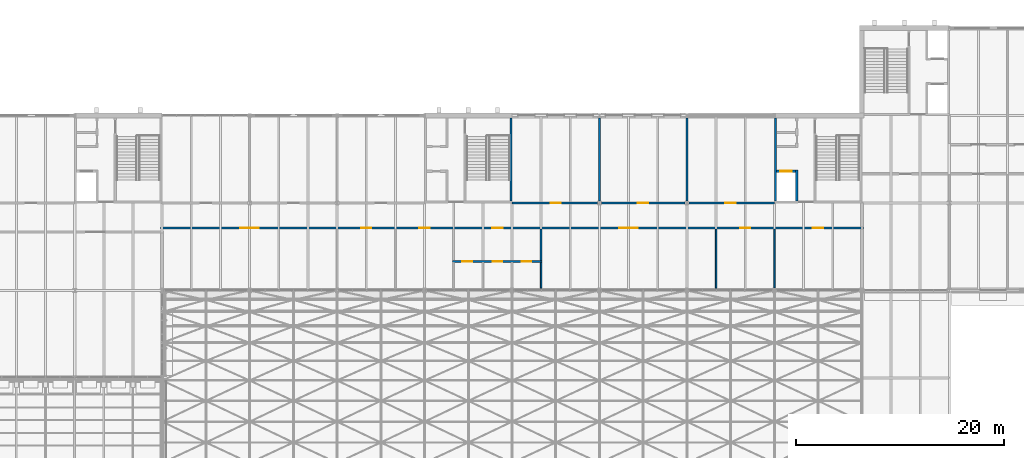
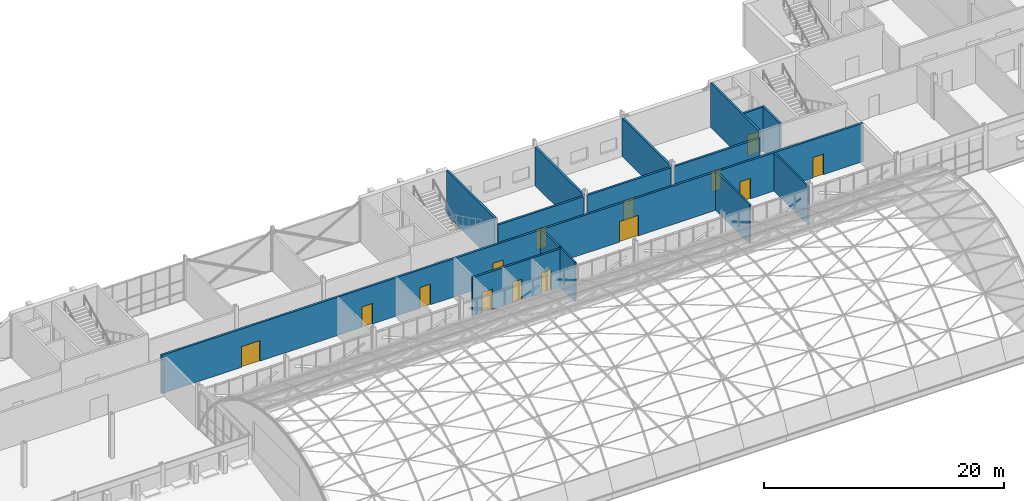
# One storey, part 86 of 121: 15 walls, 14 doors, 14 openings.
"""IFC4 building model written with IfcOpenShell, lengths in metres."""

import ifcopenshell
import ifcopenshell.guid

model = None  # the IFC model being written
_history = None  # IfcOwnerHistory: only IFC2X3 demands one
_inside = {}  # id of a spatial element -> (the spatial element, [elements in it])
_under = {}  # id of a project, library or spatial element -> (it, [spatial elements below it])
_declared = {}  # id of a project -> (the project, [libraries it declares])
_typed = {}  # id of a type object -> (the type object, [elements of that type])
_made_of = {}  # id of a material, layer set ... -> (it, [elements and type objects made of it])


def new_model(schema):
    """Start an empty IFC model of exactly this schema.

    Asked for "IFC4X3", IfcOpenShell would pick the latest addendum, in which some entities
    have other attributes; the version numbers below select the first issue.
    IFC2X3 requires an IfcOwnerHistory on every rooted entity: one is made here for all.
    """
    global model, _history
    if schema == "IFC4X3":
        model = ifcopenshell.file(schema_version=(4, 3, 0, 0))
    else:
        model = ifcopenshell.file(schema=schema)
    _inside.clear()
    _under.clear()
    _declared.clear()
    _typed.clear()
    _made_of.clear()
    _history = None
    if model.schema == "IFC2X3":
        org = make("IfcOrganization", Name="unknown")
        user = make(
            "IfcPersonAndOrganization",
            ThePerson=make("IfcPerson", FamilyName="unknown"),
            TheOrganization=org,
        )
        app = make(
            "IfcApplication",
            ApplicationDeveloper=org,
            Version="unknown",
            ApplicationFullName="unknown",
            ApplicationIdentifier="unknown",
        )
        _history = make(
            "IfcOwnerHistory",
            OwningUser=user,
            OwningApplication=app,
            ChangeAction="ADDED",
            CreationDate=0,
        )
    return model


def make(cls, **values):
    """One entity of the class cls with the attributes given. An attribute that is None is left unset."""
    return model.create_entity(
        cls, **{name: value for name, value in values.items() if value is not None}
    )


def rooted(cls, **values):
    """An entity with a GlobalId (a new one), such as an element, a storey or a relation."""
    return make(cls, GlobalId=ifcopenshell.guid.new(), OwnerHistory=_history, **values)


def si_unit(unit_type, name, prefix=None):
    """IfcSIUnit, for example si_unit("LENGTHUNIT", "METRE", prefix="MILLI")."""
    return make("IfcSIUnit", UnitType=unit_type, Prefix=prefix, Name=name)


def assignment(units):
    """IfcUnitAssignment: the units of a project."""
    return None if units is None else make("IfcUnitAssignment", Units=units)


def point(xyz):
    """IfcCartesianPoint."""
    return None if xyz is None else make("IfcCartesianPoint", Coordinates=xyz)


def direction(xyz):
    """IfcDirection."""
    return None if xyz is None else make("IfcDirection", DirectionRatios=xyz)


def frame(location, z_axis=None, x_axis=None):
    """IfcAxis2Placement3D, a coordinate frame: its origin and axes. An axis left out is left unset."""
    return make(
        "IfcAxis2Placement3D",
        Location=point(location),
        Axis=direction(z_axis),
        RefDirection=direction(x_axis),
    )


def frame_2d(location, x_axis=None):
    """IfcAxis2Placement2D, a coordinate frame in the plane: its origin and x axis."""
    return make(
        "IfcAxis2Placement2D", Location=point(location), RefDirection=direction(x_axis)
    )


def origin():
    """The frame at (0, 0, 0) with its axes left unset."""
    return frame((0.0, 0.0, 0.0))


def place(relative_to, where):
    """IfcLocalPlacement: puts the frame where relative to a parent placement (None: the world)."""
    return make(
        "IfcLocalPlacement", PlacementRelTo=relative_to, RelativePlacement=where
    )


def context(
    kind, dimensions, precision=None, world=None, true_north=None, identifier=None
):
    """IfcGeometricRepresentationContext, for example the 3D "Model" context."""
    return make(
        "IfcGeometricRepresentationContext",
        ContextIdentifier=identifier,
        ContextType=kind,
        CoordinateSpaceDimension=dimensions,
        Precision=precision,
        WorldCoordinateSystem=world,
        TrueNorth=true_north,
    )


def subcontext(parent, identifier, kind, view, scale=None):
    """IfcGeometricRepresentationSubContext, for example "Body" below "Model"."""
    return make(
        "IfcGeometricRepresentationSubContext",
        ContextIdentifier=identifier,
        ContextType=kind,
        ParentContext=parent,
        TargetScale=scale,
        TargetView=view,
    )


def project(units=None, contexts=None):
    """IfcProject with its units and contexts."""
    return rooted(
        "IfcProject",
        Name="project",
        RepresentationContexts=contexts,
        UnitsInContext=assignment(units),
    )


def spatial(cls, under=None, at=None, **own):
    """A site, building, storey or space (cls), placed at a placement, below another one or the project."""
    s = rooted(cls, ObjectPlacement=at, **own)
    if under is not None:
        _under.setdefault(under.id(), (under, []))[1].append(s)
    return s


def profile(cls, at=None, kind="AREA", **sizes):
    """A parametric profile (cls). Its sizes go by their IFC names, for example OverallWidth=200.0."""
    return make(cls, ProfileType=kind, Position=at, **sizes)


def rectangle(**sizes):
    """IfcRectangleProfileDef."""
    return profile("IfcRectangleProfileDef", **sizes)


def extrude(swept, where, along, depth):
    """IfcExtrudedAreaSolid: the profile swept, set in the frame where, extruded along a direction by depth."""
    return make(
        "IfcExtrudedAreaSolid",
        SweptArea=swept,
        Position=where,
        ExtrudedDirection=direction(along),
        Depth=depth,
    )


def shape(context_of_items, identifier, shape_type, items):
    """IfcShapeRepresentation: the items that make up one representation, for example the "Body"."""
    return make(
        "IfcShapeRepresentation",
        ContextOfItems=context_of_items,
        RepresentationIdentifier=identifier,
        RepresentationType=shape_type,
        Items=items,
    )


def material(Name=None, Category=None):
    """IfcMaterial."""
    return make("IfcMaterial", Name=Name, Category=Category)


def layer(
    of_material, thickness, ventilated=None, Name=None, Category=None, Priority=None
):
    """IfcMaterialLayer: one layer of a wall or slab, of a material (None: an air gap)."""
    return make(
        "IfcMaterialLayer",
        Material=of_material,
        LayerThickness=thickness,
        IsVentilated=ventilated,
        Name=Name,
        Category=Category,
        Priority=Priority,
    )


def layer_set(layers, Name=None):
    """IfcMaterialLayerSet."""
    return make("IfcMaterialLayerSet", MaterialLayers=layers, LayerSetName=Name)


def made_of(thing, what):
    """Note that an element or type object is made of a material, layer set ...; save() writes the relation."""
    if what is not None:
        _made_of.setdefault(what.id(), (what, []))[1].append(thing)
    return thing


def type_object(cls, material=None, **own):
    """A type object (cls), such as IfcWallType, which elements share."""
    return made_of(rooted(cls, **own), material)


def element(
    cls,
    number,
    at=None,
    inside=None,
    cuts=None,
    type_object=None,
    material=None,
    context=None,
    identifier="Body",
    shape_type=None,
    held_by="IfcProductDefinitionShape",
    body=None,
    shapes=None,
    **own,
):
    """One element of the class cls, such as IfcWall. Its Tag is "e" and its number.

    at: its placement. inside: the storey or other place that contains it. cuts: it is an
    opening in that element (IfcRelVoidsElement). A single representation is given by context,
    identifier, shape_type and body (its items); several are given by shapes. held_by: the class
    of the entity that holds the representations. save() writes the other relations.
    """
    e = rooted(cls, Tag="e%d" % number, ObjectPlacement=at, **own)
    if body is not None:
        shapes = [shape(context, identifier, shape_type, body)]
    if shapes is not None:
        e.Representation = make(held_by, Representations=shapes)
    if inside is not None:
        _inside.setdefault(inside.id(), (inside, []))[1].append(e)
    if cuts is not None:
        rooted(
            "IfcRelVoidsElement", RelatingBuildingElement=cuts, RelatedOpeningElement=e
        )
    if type_object is not None:
        _typed.setdefault(type_object.id(), (type_object, []))[1].append(e)
    return made_of(e, material)


def fill(opening, filler):
    """IfcRelFillsElement: the door or window that sits in an opening."""
    return rooted(
        "IfcRelFillsElement",
        RelatingOpeningElement=opening,
        RelatedBuildingElement=filler,
    )


def aggregate(whole, parts):
    """IfcRelAggregates: a whole, such as a stair, and the parts it consists of."""
    return rooted("IfcRelAggregates", RelatingObject=whole, RelatedObjects=parts)


def save(model, path):
    """Write the relations noted so far, then the file.

    IfcRelAggregates (storeys below a building ...), IfcRelContainedInSpatialStructure (elements
    in a storey), IfcRelDefinesByType, IfcRelAssociatesMaterial and IfcRelDeclares: one each for
    every whole, place, type object, material and project.
    """
    for whole, parts in _under.values():
        aggregate(whole, parts)
    for where, things in _inside.values():
        rooted(
            "IfcRelContainedInSpatialStructure",
            RelatedElements=things,
            RelatingStructure=where,
        )
    for kind, things in _typed.values():
        rooted("IfcRelDefinesByType", RelatedObjects=things, RelatingType=kind)
    for what, things in _made_of.values():
        rooted("IfcRelAssociatesMaterial", RelatedObjects=things, RelatingMaterial=what)
    for by, libraries in _declared.values():
        rooted("IfcRelDeclares", RelatingContext=by, RelatedDefinitions=libraries)
    model.write(path)


model = new_model("IFC4")

# Units and contexts
model_context = context("Model", 3, precision=1e-05, world=origin(), true_north=direction((0.0, 1.0)))
body_context = subcontext(model_context, "Body", "Model", "MODEL_VIEW")
ifc_project = project(units=[si_unit("LENGTHUNIT", "METRE"), si_unit("AREAUNIT", "SQUARE_METRE"), si_unit("VOLUMEUNIT", "CUBIC_METRE"), si_unit("PLANEANGLEUNIT", "RADIAN"), si_unit("MASSUNIT", "GRAM", prefix="KILO")], contexts=[model_context])

# Site, building, storey
site_placement = place(None, origin())
site = spatial("IfcSite", under=ifc_project, at=site_placement, CompositionType="ELEMENT")
building_placement = place(site_placement, origin())
building = spatial("IfcBuilding", under=site, at=building_placement, Name="Ardhachandra Cancer Care Centre", CompositionType="ELEMENT")
storey_placement = place(building_placement, frame((0.0, 0.0, 9.0)))
storey = spatial("IfcBuildingStorey", under=building, at=storey_placement, Name="L02", CompositionType="ELEMENT", Elevation=9.0)

# Wall, openings, doors
ifc_material_1 = material(Name="Gypsum board corridor partition on steel studs", Category="steel")
ifc_layer_1 = layer(ifc_material_1, 0.199951171875)
ifc_layer_set_1 = layer_set([ifc_layer_1], Name="Gypsum board corridor partition on steel studs")
wall_type_1 = type_object("IfcWallType", Name="CORRIDOR WALL 200", PredefinedType="PARTITIONING", material=ifc_layer_set_1)
wall_1_placement = place(storey_placement, frame((72.300048828125, 82.60009765625, 0.0), z_axis=(0.0, 0.0, 1.0), x_axis=(1.0, 0.0, 0.0)))
wall_1 = element("IfcWall", 1, at=wall_1_placement, inside=storey, type_object=wall_type_1, Name="R/wall/L02/h0082600_0072300", PredefinedType="PARTITIONING", context=body_context, shape_type="SweptSolid", body=[
    extrude(rectangle(XDim=8.599853515625, YDim=0.199951171875, at=frame_2d((4.2998046875, 0.0))), origin(), (0.0, 0.0, 1.0), 3.89990234375),
])
opening_1_placement = place(wall_1_placement, frame((0.89990234375, 0.0, 0.0)))
opening_1 = element("IfcOpeningElement", 2, at=opening_1_placement, cuts=wall_1, Name="Opening L02-0005", PredefinedType="OPENING", context=body_context, shape_type="SweptSolid", body=[
    extrude(rectangle(XDim=1.0, YDim=2.10009765625, at=frame_2d((0.5, 1.050048828125))), frame((0.0, 0.10986328125, 0.0), z_axis=(0.0, -1.0, 0.0), x_axis=(1.0, 0.0, 0.0)), (0.0, 0.0, 1.0), 0.219970703125),
])
opening_2_placement = place(wall_1_placement, frame((3.85009765625, 0.0, 0.0)))
opening_2 = element("IfcOpeningElement", 3, at=opening_2_placement, cuts=wall_1, Name="Opening L02-0006", PredefinedType="OPENING", context=body_context, shape_type="SweptSolid", body=[
    extrude(rectangle(XDim=0.89990234375, YDim=2.10009765625, at=frame_2d((0.449951171875, 1.050048828125))), frame((0.0, 0.10986328125, 0.0), z_axis=(0.0, -1.0, 0.0), x_axis=(1.0, 0.0, 0.0)), (0.0, 0.0, 1.0), 0.219970703125),
])
opening_3_placement = place(wall_1_placement, frame((6.64990234375, 0.0, 0.0)))
opening_3 = element("IfcOpeningElement", 4, at=opening_3_placement, cuts=wall_1, Name="Opening L02-0007", PredefinedType="OPENING", context=body_context, shape_type="SweptSolid", body=[
    extrude(rectangle(XDim=0.89990234375, YDim=2.10009765625, at=frame_2d((0.449951171875, 1.050048828125))), frame((0.0, 0.10986328125, 0.0), z_axis=(0.0, -1.0, 0.0), x_axis=(1.0, 0.0, 0.0)), (0.0, 0.0, 1.0), 0.219970703125),
])
ifc_material_2 = material(Name="Timber fire door with smoke seals", Category="wood")
door_type_1 = type_object("IfcDoorType", Name="FIRE DOOR SINGLE 1000x2100 FD30S", OperationType="NOTDEFINED", PredefinedType="DOOR", material=ifc_material_2)
door_1_placement = place(opening_1_placement, origin())
door_1 = element("IfcDoor", 5, at=door_1_placement, inside=storey, type_object=door_type_1, Name="Door L02-0005", OperationType="SINGLE_SWING_RIGHT", OverallHeight=2.10009765625, OverallWidth=1.0, PredefinedType="DOOR", context=body_context, shape_type="SweptSolid", body=[
    extrude(rectangle(XDim=1.0, YDim=2.10009765625, at=frame_2d((0.5, 1.050048828125))), frame((0.0, 0.02490234375, 0.0), z_axis=(0.0, -1.0, 0.0), x_axis=(1.0, 0.0, 0.0)), (0.0, 0.0, 1.0), 0.050048828125),
])
fill(opening_1, door_1)
ifc_material_3 = material(Name="Timber fire door with smoke seals", Category="wood")
door_type_2 = type_object("IfcDoorType", Name="FIRE DOOR WC 900x2100 FD30S", OperationType="NOTDEFINED", PredefinedType="DOOR", material=ifc_material_3)
door_2_placement = place(opening_2_placement, origin())
door_2 = element("IfcDoor", 6, at=door_2_placement, inside=storey, type_object=door_type_2, Name="Door L02-0006", OperationType="SINGLE_SWING_LEFT", OverallHeight=2.10009765625, OverallWidth=0.89990234375, PredefinedType="DOOR", context=body_context, shape_type="SweptSolid", body=[
    extrude(rectangle(XDim=0.89990234375, YDim=2.10009765625, at=frame_2d((0.449951171875, 1.050048828125))), frame((0.0, 0.02490234375, 0.0), z_axis=(0.0, -1.0, 0.0), x_axis=(1.0, 0.0, 0.0)), (0.0, 0.0, 1.0), 0.050048828125),
])
fill(opening_2, door_2)
door_3_placement = place(opening_3_placement, origin())
door_3 = element("IfcDoor", 7, at=door_3_placement, inside=storey, type_object=door_type_2, Name="Door L02-0007", OperationType="SINGLE_SWING_LEFT", OverallHeight=2.10009765625, OverallWidth=0.89990234375, PredefinedType="DOOR", context=body_context, shape_type="SweptSolid", body=[
    extrude(rectangle(XDim=0.89990234375, YDim=2.10009765625, at=frame_2d((0.449951171875, 1.050048828125))), frame((0.0, 0.02490234375, 0.0), z_axis=(0.0, -1.0, 0.0), x_axis=(1.0, 0.0, 0.0)), (0.0, 0.0, 1.0), 0.050048828125),
])
fill(opening_3, door_3)

wall_2_placement = place(storey_placement, frame((44.25, 85.800048828125, 0.0), z_axis=(0.0, 0.0, 1.0), x_axis=(1.0, 0.0, 0.0)))
wall_2 = element("IfcWall", 8, at=wall_2_placement, inside=storey, type_object=wall_type_1, Name="R/wall/L02/h0085800_0044250", PredefinedType="PARTITIONING", context=body_context, shape_type="SweptSolid", body=[
    extrude(rectangle(XDim=67.5, YDim=0.199951171875, at=frame_2d((33.75, 0.0))), origin(), (0.0, 0.0, 1.0), 3.89990234375),
])
opening_4_placement = place(wall_2_placement, frame((7.64990234375, 0.0, 0.0)))
opening_4 = element("IfcOpeningElement", 9, at=opening_4_placement, cuts=wall_2, Name="Opening L02-0010", PredefinedType="OPENING", context=body_context, shape_type="SweptSolid", body=[
    extrude(rectangle(XDim=1.800048828125, YDim=2.10009765625, at=frame_2d((0.89990234375, 1.050048828125))), frame((0.0, 0.10986328125, 0.0), z_axis=(0.0, -1.0, 0.0), x_axis=(1.0, 0.0, 0.0)), (0.0, 0.0, 1.0), 0.219970703125),
])
opening_5_placement = place(wall_2_placement, frame((19.25, 0.0, 0.0)))
opening_5 = element("IfcOpeningElement", 10, at=opening_5_placement, cuts=wall_2, Name="Opening L02-0011", PredefinedType="OPENING", context=body_context, shape_type="SweptSolid", body=[
    extrude(rectangle(XDim=1.0, YDim=2.10009765625, at=frame_2d((0.5, 1.050048828125))), frame((0.0, 0.10986328125, 0.0), z_axis=(0.0, -1.0, 0.0), x_axis=(1.0, 0.0, 0.0)), (0.0, 0.0, 1.0), 0.219970703125),
])
opening_6_placement = place(wall_2_placement, frame((24.85009765625, 0.0, 0.0)))
opening_6 = element("IfcOpeningElement", 11, at=opening_6_placement, cuts=wall_2, Name="Opening L02-0012", PredefinedType="OPENING", context=body_context, shape_type="SweptSolid", body=[
    extrude(rectangle(XDim=1.0, YDim=2.10009765625, at=frame_2d((0.5, 1.050048828125))), frame((0.0, 0.10986328125, 0.0), z_axis=(0.0, -1.0, 0.0), x_axis=(1.0, 0.0, 0.0)), (0.0, 0.0, 1.0), 0.219970703125),
])
opening_7_placement = place(wall_2_placement, frame((31.85009765625, 0.0, 0.0)))
opening_7 = element("IfcOpeningElement", 12, at=opening_7_placement, cuts=wall_2, Name="Opening L02-0013", PredefinedType="OPENING", context=body_context, shape_type="SweptSolid", body=[
    extrude(rectangle(XDim=1.0, YDim=2.10009765625, at=frame_2d((0.5, 1.050048828125))), frame((0.0, 0.10986328125, 0.0), z_axis=(0.0, -1.0, 0.0), x_axis=(1.0, 0.0, 0.0)), (0.0, 0.0, 1.0), 0.219970703125),
])
opening_8_placement = place(wall_2_placement, frame((44.050048828125, 0.0, 0.0)))
opening_8 = element("IfcOpeningElement", 13, at=opening_8_placement, cuts=wall_2, Name="Opening L02-0014", PredefinedType="OPENING", context=body_context, shape_type="SweptSolid", body=[
    extrude(rectangle(XDim=1.800048828125, YDim=2.10009765625, at=frame_2d((0.89990234375, 1.050048828125))), frame((0.0, 0.10986328125, 0.0), z_axis=(0.0, -1.0, 0.0), x_axis=(1.0, 0.0, 0.0)), (0.0, 0.0, 1.0), 0.219970703125),
])
opening_9_placement = place(wall_2_placement, frame((55.64990234375, 0.0, 0.0)))
opening_9 = element("IfcOpeningElement", 14, at=opening_9_placement, cuts=wall_2, Name="Opening L02-0015", PredefinedType="OPENING", context=body_context, shape_type="SweptSolid", body=[
    extrude(rectangle(XDim=1.0, YDim=2.10009765625, at=frame_2d((0.5, 1.050048828125))), frame((0.0, 0.10986328125, 0.0), z_axis=(0.0, -1.0, 0.0), x_axis=(1.0, 0.0, 0.0)), (0.0, 0.0, 1.0), 0.219970703125),
])
opening_10_placement = place(wall_2_placement, frame((62.64990234375, 0.0, 0.0)))
opening_10 = element("IfcOpeningElement", 15, at=opening_10_placement, cuts=wall_2, Name="Opening L02-0016", PredefinedType="OPENING", context=body_context, shape_type="SweptSolid", body=[
    extrude(rectangle(XDim=1.0, YDim=2.10009765625, at=frame_2d((0.5, 1.050048828125))), frame((0.0, 0.10986328125, 0.0), z_axis=(0.0, -1.0, 0.0), x_axis=(1.0, 0.0, 0.0)), (0.0, 0.0, 1.0), 0.219970703125),
])
ifc_material_4 = material(Name="Timber fire door with smoke seals", Category="wood")
door_type_3 = type_object("IfcDoorType", Name="FIRE DOOR DOUBLE 1800x2100 FD30S", OperationType="NOTDEFINED", PredefinedType="DOOR", material=ifc_material_4)
door_4_placement = place(opening_4_placement, origin())
door_4 = element("IfcDoor", 16, at=door_4_placement, inside=storey, type_object=door_type_3, Name="Door L02-0010", OperationType="DOUBLE_DOOR_SINGLE_SWING", OverallHeight=2.10009765625, OverallWidth=1.800048828125, PredefinedType="DOOR", context=body_context, shape_type="SweptSolid", body=[
    extrude(rectangle(XDim=1.800048828125, YDim=2.10009765625, at=frame_2d((0.89990234375, 1.050048828125))), frame((0.0, 0.02490234375, 0.0), z_axis=(0.0, -1.0, 0.0), x_axis=(1.0, 0.0, 0.0)), (0.0, 0.0, 1.0), 0.050048828125),
])
fill(opening_4, door_4)
door_5_placement = place(opening_8_placement, origin())
door_5 = element("IfcDoor", 17, at=door_5_placement, inside=storey, type_object=door_type_3, Name="Door L02-0014", OperationType="DOUBLE_DOOR_SINGLE_SWING", OverallHeight=2.10009765625, OverallWidth=1.800048828125, PredefinedType="DOOR", context=body_context, shape_type="SweptSolid", body=[
    extrude(rectangle(XDim=1.800048828125, YDim=2.10009765625, at=frame_2d((0.89990234375, 1.050048828125))), frame((0.0, 0.02490234375, 0.0), z_axis=(0.0, -1.0, 0.0), x_axis=(1.0, 0.0, 0.0)), (0.0, 0.0, 1.0), 0.050048828125),
])
fill(opening_8, door_5)
door_6_placement = place(opening_5_placement, origin())
door_6 = element("IfcDoor", 18, at=door_6_placement, inside=storey, type_object=door_type_1, Name="Door L02-0011", OperationType="SINGLE_SWING_RIGHT", OverallHeight=2.10009765625, OverallWidth=1.0, PredefinedType="DOOR", context=body_context, shape_type="SweptSolid", body=[
    extrude(rectangle(XDim=1.0, YDim=2.10009765625, at=frame_2d((0.5, 1.050048828125))), frame((0.0, 0.02490234375, 0.0), z_axis=(0.0, -1.0, 0.0), x_axis=(1.0, 0.0, 0.0)), (0.0, 0.0, 1.0), 0.050048828125),
])
fill(opening_5, door_6)
door_7_placement = place(opening_6_placement, origin())
door_7 = element("IfcDoor", 19, at=door_7_placement, inside=storey, type_object=door_type_1, Name="Door L02-0012", OperationType="SINGLE_SWING_RIGHT", OverallHeight=2.10009765625, OverallWidth=1.0, PredefinedType="DOOR", context=body_context, shape_type="SweptSolid", body=[
    extrude(rectangle(XDim=1.0, YDim=2.10009765625, at=frame_2d((0.5, 1.050048828125))), frame((0.0, 0.02490234375, 0.0), z_axis=(0.0, -1.0, 0.0), x_axis=(1.0, 0.0, 0.0)), (0.0, 0.0, 1.0), 0.050048828125),
])
fill(opening_6, door_7)
door_8_placement = place(opening_7_placement, origin())
door_8 = element("IfcDoor", 20, at=door_8_placement, inside=storey, type_object=door_type_1, Name="Door L02-0013", OperationType="SINGLE_SWING_LEFT", OverallHeight=2.10009765625, OverallWidth=1.0, PredefinedType="DOOR", context=body_context, shape_type="SweptSolid", body=[
    extrude(rectangle(XDim=1.0, YDim=2.10009765625, at=frame_2d((0.5, 1.050048828125))), frame((0.0, 0.02490234375, 0.0), z_axis=(0.0, -1.0, 0.0), x_axis=(1.0, 0.0, 0.0)), (0.0, 0.0, 1.0), 0.050048828125),
])
fill(opening_7, door_8)
door_9_placement = place(opening_9_placement, origin())
door_9 = element("IfcDoor", 21, at=door_9_placement, inside=storey, type_object=door_type_1, Name="Door L02-0015", OperationType="SINGLE_SWING_RIGHT", OverallHeight=2.10009765625, OverallWidth=1.0, PredefinedType="DOOR", context=body_context, shape_type="SweptSolid", body=[
    extrude(rectangle(XDim=1.0, YDim=2.10009765625, at=frame_2d((0.5, 1.050048828125))), frame((0.0, 0.02490234375, 0.0), z_axis=(0.0, -1.0, 0.0), x_axis=(1.0, 0.0, 0.0)), (0.0, 0.0, 1.0), 0.050048828125),
])
fill(opening_9, door_9)
door_10_placement = place(opening_10_placement, origin())
door_10 = element("IfcDoor", 22, at=door_10_placement, inside=storey, type_object=door_type_1, Name="Door L02-0016", OperationType="SINGLE_SWING_RIGHT", OverallHeight=2.10009765625, OverallWidth=1.0, PredefinedType="DOOR", context=body_context, shape_type="SweptSolid", body=[
    extrude(rectangle(XDim=1.0, YDim=2.10009765625, at=frame_2d((0.5, 1.050048828125))), frame((0.0, 0.02490234375, 0.0), z_axis=(0.0, -1.0, 0.0), x_axis=(1.0, 0.0, 0.0)), (0.0, 0.0, 1.0), 0.050048828125),
])
fill(opening_10, door_10)

# Walls
wall_3_placement = place(storey_placement, frame((80.800048828125, 82.699951171875, 0.0), z_axis=(0.0, 0.0, 1.0), x_axis=(0.0, 1.0, 0.0)))
element("IfcWall", 23, at=wall_3_placement, inside=storey, type_object=wall_type_1, Name="R/wall/L02/v0080800_0082700", PredefinedType="PARTITIONING", context=body_context, shape_type="SweptSolid", body=[
    extrude(rectangle(XDim=3.0, YDim=0.199951171875, at=frame_2d((1.5, 0.0))), origin(), (0.0, 0.0, 1.0), 3.99609375),
])
ifc_material_5 = material(Name="Concrete M40", Category="concrete")
ifc_layer_2 = layer(ifc_material_5, 0.199951171875)
ifc_layer_set_2 = layer_set([ifc_layer_2], Name="Concrete M40")
wall_type_2 = type_object("IfcWallType", Name="Core wall RC 200", PredefinedType="SOLIDWALL", material=ifc_layer_set_2)
wall_4_placement = place(storey_placement, frame((103.300048828125, 88.39990234375, 0.0), z_axis=(0.0, 0.0, 1.0), x_axis=(0.0, 1.0, 0.0)))
element("IfcWall", 24, at=wall_4_placement, inside=storey, type_object=wall_type_2, Name="Core wall K7 UE", PredefinedType="SOLIDWALL", context=body_context, shape_type="SweptSolid", body=[
    extrude(rectangle(XDim=7.97509765625, YDim=0.199951171875, at=frame_2d((3.987548828125, 0.0))), origin(), (0.0, 0.0, 1.0), 4.5),
])
wall_5_placement = place(storey_placement, frame((105.35009765625, 88.39990234375, 0.0), z_axis=(0.0, 0.0, 1.0), x_axis=(0.0, 1.0, 0.0)))
element("IfcWall", 25, at=wall_5_placement, inside=storey, type_object=wall_type_2, Name="Core wall K7 P2A", PredefinedType="SOLIDWALL", context=body_context, shape_type="SweptSolid", body=[
    extrude(rectangle(XDim=2.9501953125, YDim=0.199951171875, at=frame_2d((1.47509765625, 0.0))), origin(), (0.0, 0.0, 1.0), 4.5),
])

# Wall, opening, door
wall_6_placement = place(storey_placement, frame((105.25, 91.25, 0.0), z_axis=(0.0, 0.0, 1.0), x_axis=(-1.0, 0.0, 0.0)))
wall_6 = element("IfcWall", 26, at=wall_6_placement, inside=storey, type_object=wall_type_2, Name="Core wall K7 W1", PredefinedType="SOLIDWALL", context=body_context, shape_type="SweptSolid", body=[
    extrude(rectangle(XDim=1.85009765625, YDim=0.199951171875, at=frame_2d((0.925048828125, 0.0))), origin(), (0.0, 0.0, 1.0), 4.5),
])
opening_11_placement = place(wall_6_placement, frame((0.375, 0.0, 0.0)))
opening_11 = element("IfcOpeningElement", 27, at=opening_11_placement, cuts=wall_6, Name="Opening L02-K07-3", PredefinedType="OPENING", context=body_context, shape_type="SweptSolid", body=[
    extrude(rectangle(XDim=1.10009765625, YDim=2.10009765625, at=frame_2d((0.550048828125, 1.050048828125))), frame((0.0, 0.10986328125, 0.0), z_axis=(0.0, -1.0, 0.0), x_axis=(1.0, 0.0, 0.0)), (0.0, 0.0, 1.0), 0.219970703125),
])
ifc_material_6 = material(Name="Stainless steel (grade 304)", Category="steel")
door_type_4 = type_object("IfcDoorType", Name="Lift landing door 1100x2100", OperationType="DOUBLE_DOOR_SLIDING", PredefinedType="DOOR", material=ifc_material_6)
door_11_placement = place(opening_11_placement, origin())
door_11 = element("IfcDoor", 28, at=door_11_placement, inside=storey, type_object=door_type_4, Name="Lift landing door LF-K7-1", OperationType="DOUBLE_DOOR_SLIDING", OverallHeight=2.10009765625, OverallWidth=1.10009765625, PredefinedType="DOOR", context=body_context, shape_type="SweptSolid", body=[
    extrude(rectangle(XDim=1.10009765625, YDim=2.10009765625, at=frame_2d((0.550048828125, 1.050048828125))), frame((0.0, 0.02490234375, 0.0), z_axis=(0.0, -1.0, 0.0), x_axis=(1.0, 0.0, 0.0)), (0.0, 0.0, 1.0), 0.050048828125),
])
fill(opening_11, door_11)

# Walls
wall_7_placement = place(storey_placement, frame((77.89990234375, 88.39990234375, 0.0), z_axis=(0.0, 0.0, 1.0), x_axis=(0.0, 1.0, 0.0)))
element("IfcWall", 29, at=wall_7_placement, inside=storey, type_object=wall_type_2, Name="Core wall K8 UW", PredefinedType="SOLIDWALL", context=body_context, shape_type="SweptSolid", body=[
    extrude(rectangle(XDim=7.97509765625, YDim=0.199951171875, at=frame_2d((3.987548828125, 0.0))), origin(), (0.0, 0.0, 1.0), 4.5),
])
ifc_material_7 = material(Name="Gypsum board partition on steel studs", Category="steel")
ifc_layer_3 = layer(ifc_material_7, 0.14990234375)
ifc_layer_set_3 = layer_set([ifc_layer_3], Name="Gypsum board partition on steel studs")
wall_type_3 = type_object("IfcWallType", Name="PARTITION 150", PredefinedType="PARTITIONING", material=ifc_layer_set_3)
wall_8_placement = place(storey_placement, frame((97.60009765625, 80.02490234375, 0.0), z_axis=(0.0, 0.0, 1.0), x_axis=(0.0, 1.0, 0.0)))
element("IfcWall", 30, at=wall_8_placement, inside=storey, type_object=wall_type_3, Name="R/wall/L02/v0097600_0080025", PredefinedType="PARTITIONING", context=body_context, shape_type="SweptSolid", body=[
    extrude(rectangle(XDim=5.675048828125, YDim=0.14990234375, at=frame_2d((2.83740234375, 0.0))), origin(), (0.0, 0.0, 1.0), 3.99609375),
])
wall_9_placement = place(storey_placement, frame((103.199951171875, 80.02490234375, 0.0), z_axis=(0.0, 0.0, 1.0), x_axis=(0.0, 1.0, 0.0)))
element("IfcWall", 31, at=wall_9_placement, inside=storey, type_object=wall_type_3, Name="R/wall/L02/v0103200_0080025", PredefinedType="PARTITIONING", context=body_context, shape_type="SweptSolid", body=[
    extrude(rectangle(XDim=5.675048828125, YDim=0.14990234375, at=frame_2d((2.83740234375, 0.0))), origin(), (0.0, 0.0, 1.0), 3.89990234375),
])

# Wall, opening, door
ifc_material_8 = material(Name="Brick masonry", Category="masonry")
ifc_layer_4 = layer(ifc_material_8, 0.199951171875)
ifc_layer_set_4 = layer_set([ifc_layer_4], Name="Brick masonry")
wall_type_4 = type_object("IfcWallType", Name="PLANT ROOM WALL 200", PredefinedType="SOLIDWALL", material=ifc_layer_set_4)
wall_10_placement = place(storey_placement, frame((78.0, 88.199951171875, 0.0), z_axis=(0.0, 0.0, 1.0), x_axis=(1.0, 0.0, 0.0)))
wall_10 = element("IfcWall", 32, at=wall_10_placement, inside=storey, type_object=wall_type_4, Name="R/wall/L02/h0088200_0078000", PredefinedType="SOLIDWALL", context=body_context, shape_type="SweptSolid", body=[
    extrude(rectangle(XDim=8.219970703125, YDim=0.199951171875, at=frame_2d((4.10986328125, 0.0))), origin(), (0.0, 0.0, 1.0), 3.89990234375),
])
opening_12_placement = place(wall_10_placement, frame((3.699951171875, 0.0, 0.0)))
opening_12 = element("IfcOpeningElement", 33, at=opening_12_placement, cuts=wall_10, Name="Opening L02-0022", PredefinedType="OPENING", context=body_context, shape_type="SweptSolid", body=[
    extrude(rectangle(XDim=1.0, YDim=2.10009765625, at=frame_2d((0.5, 1.050048828125))), frame((0.0, 0.10986328125, 0.0), z_axis=(0.0, -1.0, 0.0), x_axis=(1.0, 0.0, 0.0)), (0.0, 0.0, 1.0), 0.219970703125),
])
ifc_material_9 = material(Name="Steel fire door", Category="steel")
door_type_5 = type_object("IfcDoorType", Name="FIRE DOOR SINGLE 1000x2100 FD60", OperationType="NOTDEFINED", PredefinedType="DOOR", material=ifc_material_9)
door_12_placement = place(opening_12_placement, origin())
door_12 = element("IfcDoor", 34, at=door_12_placement, inside=storey, type_object=door_type_5, Name="Door L02-0022", OperationType="SINGLE_SWING_LEFT", OverallHeight=2.10009765625, OverallWidth=1.0, PredefinedType="DOOR", context=body_context, shape_type="SweptSolid", body=[
    extrude(rectangle(XDim=1.0, YDim=2.10009765625, at=frame_2d((0.5, 1.050048828125))), frame((0.0, 0.02490234375, 0.0), z_axis=(0.0, -1.0, 0.0), x_axis=(1.0, 0.0, 0.0)), (0.0, 0.0, 1.0), 0.050048828125),
])
fill(opening_12, door_12)

wall_11_placement = place(storey_placement, frame((86.580078125, 88.199951171875, 0.0), z_axis=(0.0, 0.0, 1.0), x_axis=(1.0, 0.0, 0.0)))
wall_11 = element("IfcWall", 35, at=wall_11_placement, inside=storey, type_object=wall_type_4, Name="R/wall/L02/h0088200_0086580", PredefinedType="SOLIDWALL", context=body_context, shape_type="SweptSolid", body=[
    extrude(rectangle(XDim=8.0400390625, YDim=0.199951171875, at=frame_2d((4.02001953125, 0.0))), origin(), (0.0, 0.0, 1.0), 3.89990234375),
])
opening_13_placement = place(wall_11_placement, frame((3.52001953125, 0.0, 0.0)))
opening_13 = element("IfcOpeningElement", 36, at=opening_13_placement, cuts=wall_11, Name="Opening L02-0023", PredefinedType="OPENING", context=body_context, shape_type="SweptSolid", body=[
    extrude(rectangle(XDim=1.0, YDim=2.10009765625, at=frame_2d((0.5, 1.050048828125))), frame((0.0, 0.10986328125, 0.0), z_axis=(0.0, -1.0, 0.0), x_axis=(1.0, 0.0, 0.0)), (0.0, 0.0, 1.0), 0.219970703125),
])
door_13_placement = place(opening_13_placement, origin())
door_13 = element("IfcDoor", 37, at=door_13_placement, inside=storey, type_object=door_type_5, Name="Door L02-0023", OperationType="SINGLE_SWING_RIGHT", OverallHeight=2.10009765625, OverallWidth=1.0, PredefinedType="DOOR", context=body_context, shape_type="SweptSolid", body=[
    extrude(rectangle(XDim=1.0, YDim=2.10009765625, at=frame_2d((0.5, 1.050048828125))), frame((0.0, 0.02490234375, 0.0), z_axis=(0.0, -1.0, 0.0), x_axis=(1.0, 0.0, 0.0)), (0.0, 0.0, 1.0), 0.050048828125),
])
fill(opening_13, door_13)

wall_12_placement = place(storey_placement, frame((94.97998046875, 88.199951171875, 0.0), z_axis=(0.0, 0.0, 1.0), x_axis=(1.0, 0.0, 0.0)))
wall_12 = element("IfcWall", 38, at=wall_12_placement, inside=storey, type_object=wall_type_4, Name="R/wall/L02/h0088200_0094980", PredefinedType="SOLIDWALL", context=body_context, shape_type="SweptSolid", body=[
    extrude(rectangle(XDim=8.219970703125, YDim=0.199951171875, at=frame_2d((4.10986328125, 0.0))), origin(), (0.0, 0.0, 1.0), 3.89990234375),
])
opening_14_placement = place(wall_12_placement, frame((3.52001953125, 0.0, 0.0)))
opening_14 = element("IfcOpeningElement", 39, at=opening_14_placement, cuts=wall_12, Name="Opening L02-0024", PredefinedType="OPENING", context=body_context, shape_type="SweptSolid", body=[
    extrude(rectangle(XDim=1.0, YDim=2.10009765625, at=frame_2d((0.5, 1.050048828125))), frame((0.0, 0.10986328125, 0.0), z_axis=(0.0, -1.0, 0.0), x_axis=(1.0, 0.0, 0.0)), (0.0, 0.0, 1.0), 0.219970703125),
])
door_14_placement = place(opening_14_placement, origin())
door_14 = element("IfcDoor", 40, at=door_14_placement, inside=storey, type_object=door_type_5, Name="Door L02-0024", OperationType="SINGLE_SWING_RIGHT", OverallHeight=2.10009765625, OverallWidth=1.0, PredefinedType="DOOR", context=body_context, shape_type="SweptSolid", body=[
    extrude(rectangle(XDim=1.0, YDim=2.10009765625, at=frame_2d((0.5, 1.050048828125))), frame((0.0, 0.02490234375, 0.0), z_axis=(0.0, -1.0, 0.0), x_axis=(1.0, 0.0, 0.0)), (0.0, 0.0, 1.0), 0.050048828125),
])
fill(opening_14, door_14)

# Walls
for number, where, z_axis, x_axis, name in (
    (41, (86.39990234375, 88.3798828125, 0.0), (0.0, 0.0, 1.0), (0.0, 1.0, 0.0), "R/wall/L02/v0086400_0088380"),
    (42, (94.800048828125, 88.3798828125, 0.0), (0.0, 0.0, 1.0), (0.0, 1.0, 0.0), "R/wall/L02/v0094800_0088380"),
):
    element("IfcWall", number, at=place(storey_placement, frame(where, z_axis=z_axis, x_axis=x_axis)), inside=storey, type_object=wall_type_4, Name=name, PredefinedType="SOLIDWALL", context=body_context, shape_type="SweptSolid", body=[
        extrude(rectangle(XDim=7.9951171875, YDim=0.199951171875, at=frame_2d((3.99755859375, 0.0))), origin(), (0.0, 0.0, 1.0), 3.89990234375),
    ])
ifc_material_10 = material(Name="Tiled gypsum board partition on steel studs", Category="steel")
ifc_layer_5 = layer(ifc_material_10, 0.14990234375)
ifc_layer_set_5 = layer_set([ifc_layer_5], Name="Tiled gypsum board partition on steel studs")
wall_type_5 = type_object("IfcWallType", Name="WET ROOM PARTITION 150", PredefinedType="PARTITIONING", material=ifc_layer_set_5)
wall_13_placement = place(storey_placement, frame((80.800048828125, 80.02490234375, 0.0), z_axis=(0.0, 0.0, 1.0), x_axis=(0.0, 1.0, 0.0)))
element("IfcWall", 43, at=wall_13_placement, inside=storey, type_object=wall_type_5, Name="R/wall/L02/v0080800_0080025", PredefinedType="PARTITIONING", context=body_context, shape_type="SweptSolid", body=[
    extrude(rectangle(XDim=2.47509765625, YDim=0.14990234375, at=frame_2d((1.237548828125, 0.0))), origin(), (0.0, 0.0, 1.0), 3.99609375),
])

save(model, "model.ifc")
